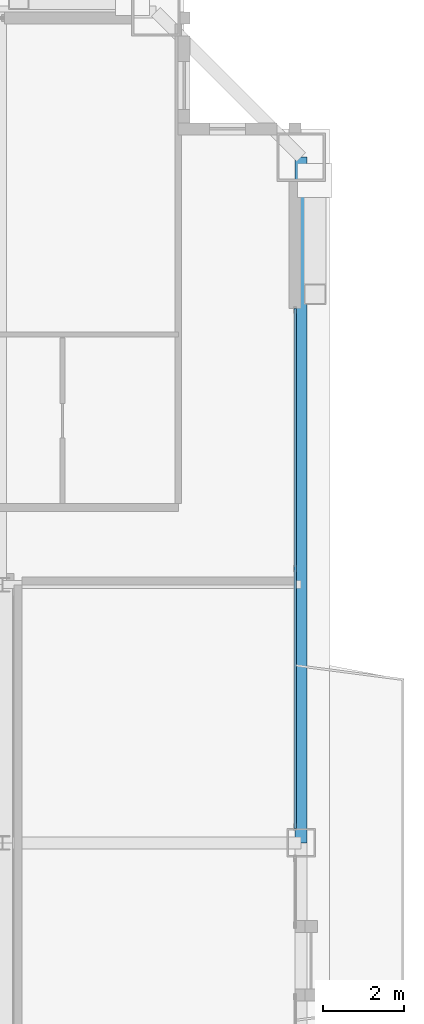
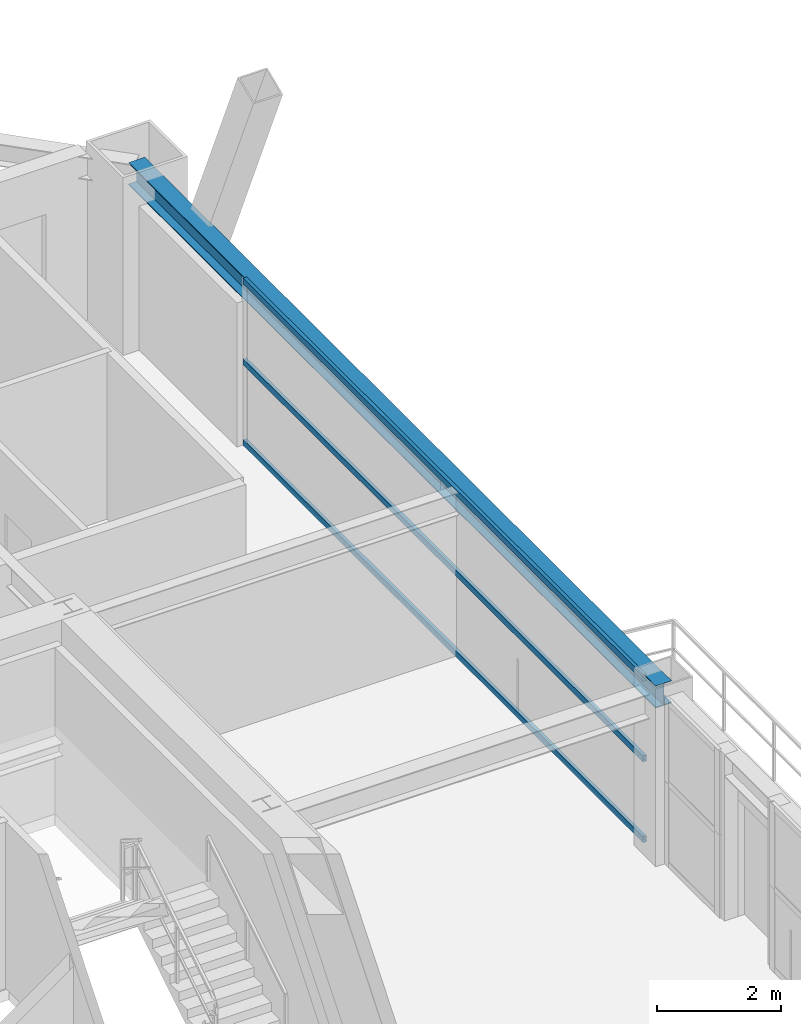
# One storey, part 21 of 37: 3 members, 1 beam, 1 element without a shape of its own.
"""IFC4 building model written with IfcOpenShell, lengths in metres."""

from ifc_helpers import new_model, si_unit, direction, frame, origin, origin_2d, place, context, subcontext, project, spatial, hollow_rectangle, i_section, extrude, source, transform, mapped, material, layer, layer_set, material_profile, profile_set, type_object, element, aggregate, save


model = new_model("IFC4")

# Units and contexts
model_context = context("Model", 3, precision=1e-05, world=origin(), true_north=direction((0.0, 1.0)))
body_context = subcontext(model_context, "Body", "Model", "MODEL_VIEW")
ifc_project = project(units=[si_unit("LENGTHUNIT", "METRE"), si_unit("AREAUNIT", "SQUARE_METRE"), si_unit("VOLUMEUNIT", "CUBIC_METRE"), si_unit("PLANEANGLEUNIT", "RADIAN"), si_unit("MASSUNIT", "GRAM", prefix="KILO"), si_unit("THERMODYNAMICTEMPERATUREUNIT", "KELVIN"), si_unit("POWERUNIT", "WATT")], contexts=[model_context])

# Site, building, storey
site_placement = place(None, origin())
site = spatial("IfcSite", under=ifc_project, at=site_placement, CompositionType="ELEMENT")
building_placement = place(site_placement, origin())
building = spatial("IfcBuilding", under=site, at=building_placement, Name="Yuzanri Waterfront Tower", CompositionType="ELEMENT")
storey_placement = place(building_placement, frame((0.0, 0.0, 278.60009765625)))
storey = spatial("IfcBuildingStorey", under=building, at=storey_placement, Name="L74", CompositionType="ELEMENT", Elevation=278.60009765625)

# Beam
ifc_material_1 = material(Name="Steel Q355B", Category="steel")
ifc_material_profile_1 = material_profile(ifc_material_1, i_section(OverallWidth=0.300048828125, OverallDepth=0.43994140625, WebThickness=0.010986328125, FlangeThickness=0.01806640625, at=origin_2d()), Name="HM 440x300x11x18")
ifc_profile_set_1 = profile_set([ifc_material_profile_1], Name="Steel Q355B")
beam_type = type_object("IfcBeamType", Name="Perimeter Spandrel Q355B HM 440x300", PredefinedType="SPANDREL", material=ifc_profile_set_1)
shared_shape_1 = source(origin(), body_context, "Body", "SweptSolid", [
    extrude(i_section(OverallWidth=0.300048828125, OverallDepth=0.43994140625, WebThickness=0.010986328125, FlangeThickness=0.01806640625, at=origin_2d()), origin(), (0.0, 0.0, 1.0), 17.0),
])
beam_placement = place(storey_placement, frame((57.60009765625, 25.800048828125, 3.059814453125), z_axis=(0.0, 1.0, 0.0), x_axis=(-1.0, 0.0, 0.0)))
element("IfcBeam", 1, at=beam_placement, inside=storey, type_object=beam_type, Name="L74 Perimeter Spandrel E2-E3", PredefinedType="SPANDREL", context=body_context, shape_type="MappedRepresentation", body=[
    mapped(shared_shape_1, transform((0.0, 0.0, 0.0), scale=1.0)),
])

# Curtain wall, members
ifc_material_2 = material(Name="Anodized Architectural Bronze", Category="metal")
ifc_layer = layer(ifc_material_2, 0.159912109375)
ifc_layer_set = layer_set([ifc_layer], Name="Anodized Architectural Bronze")
curtain_wall_type = type_object("IfcCurtainWallType", Name="Anodized Bronze Mid-Rise Residential Acoustic Unitized Curtain Wall 7200", PredefinedType="NOTDEFINED", material=ifc_layer_set)
curtain_wall_placement = place(storey_placement, origin())
curtain_wall = element("IfcCurtainWall", 2, at=curtain_wall_placement, inside=storey, type_object=curtain_wall_type, Name="L74 Curtain Wall CW-L74-ER", PredefinedType="NOTDEFINED")
ifc_material_3 = material(Name="Anodized Architectural Bronze", Category="metal")
ifc_material_profile_2 = material_profile(ifc_material_3, hollow_rectangle(XDim=0.06494140625, YDim=0.1201171875, WallThickness=0.00341796875, at=origin_2d()), Name="CWT 65x120")
ifc_profile_set_2 = profile_set([ifc_material_profile_2], Name="Anodized Architectural Bronze")
member_type = type_object("IfcMemberType", Name="Anodized Bronze Secondary Curtain-Wall Transom 65x120", PredefinedType="USERDEFINED", material=ifc_profile_set_2)
shared_shape_2 = source(origin(), body_context, "Body", "SweptSolid", [
    extrude(hollow_rectangle(XDim=0.06494140625, YDim=0.1201171875, WallThickness=0.00341796875, at=origin_2d()), origin(), (0.0, 0.0, 1.0), 12.900146484375),
])
member_1_placement = place(storey_placement, frame((57.449951171875, 26.14990234375, 0.0498046875), z_axis=(0.0, 1.0, 0.0), x_axis=(-1.0, 0.0, 0.0)))
member_1 = element("IfcMember", 3, at=member_1_placement, type_object=member_type, Name="CW-L74-ER Transom 1", ObjectType="TRANSOM", PredefinedType="USERDEFINED", context=body_context, shape_type="MappedRepresentation", body=[
    mapped(shared_shape_2, transform((0.0, 0.0, 0.0), scale=1.0)),
])
member_2_placement = place(storey_placement, frame((57.449951171875, 26.14990234375, 1.639892578125), z_axis=(0.0, 1.0, 0.0), x_axis=(-1.0, 0.0, 0.0)))
member_2 = element("IfcMember", 4, at=member_2_placement, type_object=member_type, Name="CW-L74-ER Transom 2", ObjectType="TRANSOM", PredefinedType="USERDEFINED", context=body_context, shape_type="MappedRepresentation", body=[
    mapped(shared_shape_2, transform((0.0, 0.0, 0.0), scale=1.0)),
])
member_3_placement = place(storey_placement, frame((57.449951171875, 26.14990234375, 3.22998046875), z_axis=(0.0, 1.0, 0.0), x_axis=(-1.0, 0.0, 0.0)))
member_3 = element("IfcMember", 5, at=member_3_placement, type_object=member_type, Name="CW-L74-ER Transom 3", ObjectType="TRANSOM", PredefinedType="USERDEFINED", context=body_context, shape_type="MappedRepresentation", body=[
    mapped(shared_shape_2, transform((0.0, 0.0, 0.0), scale=1.0)),
])
aggregate(curtain_wall, [member_1, member_2, member_3])

save(model, "model.ifc")
